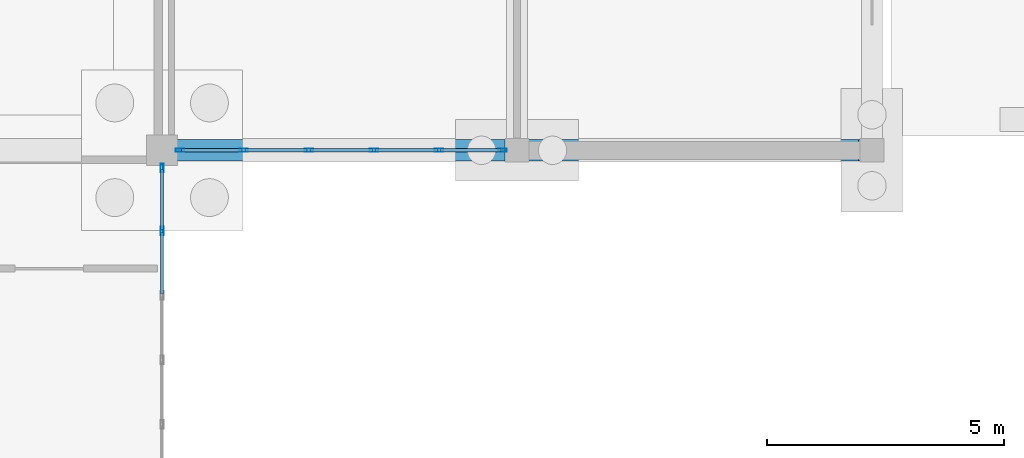
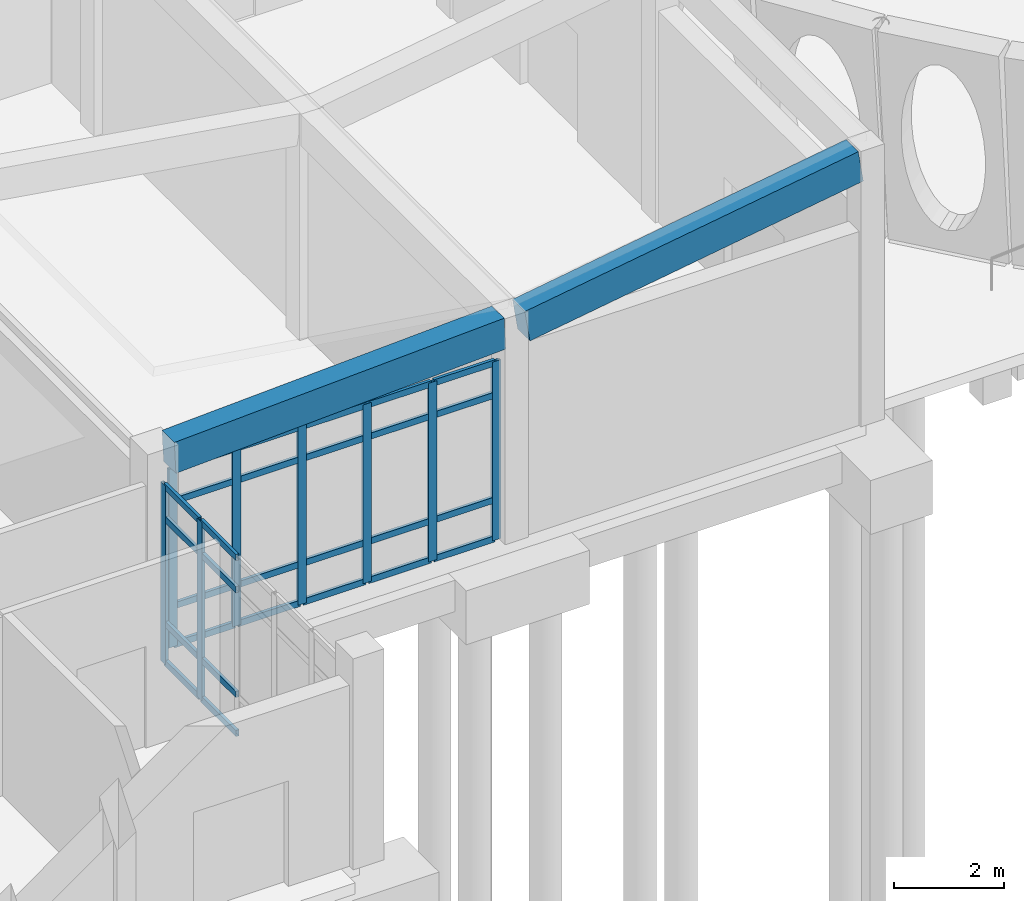
# One storey, part 34 of 173: 36 members, 2 beams, 2 elements without a shape of their own.
"""IFC4 building model written with IfcOpenShell, lengths in metres."""

from ifc_helpers import new_model, si_unit, direction, frame, origin, origin_2d, place, context, subcontext, project, spatial, rectangle, hollow_rectangle, extrude, material, layer, layer_set, material_profile, profile_set, type_object, element, aggregate, save


model = new_model("IFC4")

# Units and contexts
model_context = context("Model", 3, precision=1e-05, world=origin(), true_north=direction((0.0, 1.0)))
body_context = subcontext(model_context, "Body", "Model", "MODEL_VIEW")
ifc_project = project(units=[si_unit("LENGTHUNIT", "METRE"), si_unit("AREAUNIT", "SQUARE_METRE"), si_unit("VOLUMEUNIT", "CUBIC_METRE"), si_unit("PLANEANGLEUNIT", "RADIAN"), si_unit("MASSUNIT", "GRAM", prefix="KILO")], contexts=[model_context])

# Site, building, storey
site_placement = place(None, origin())
site = spatial("IfcSite", under=ifc_project, at=site_placement, CompositionType="ELEMENT")
building_placement = place(site_placement, origin())
building = spatial("IfcBuilding", under=site, at=building_placement, Name="Mawjan Specialist Oncology Clinic", CompositionType="ELEMENT")
storey_placement = place(building_placement, origin())
storey = spatial("IfcBuildingStorey", under=building, at=storey_placement, Name="L00", CompositionType="ELEMENT", Elevation=0.0)

# Beams
ifc_material_1 = material(Name="Concrete C40/50", Category="concrete")
ifc_material_profile_1 = material_profile(ifc_material_1, rectangle(XDim=0.449951171875, YDim=0.699951171875, at=origin_2d()), Name="RC BM 450x700", Category="concrete")
ifc_profile_set_1 = profile_set([ifc_material_profile_1], Name="Concrete C40/50")
beam_type = type_object("IfcBeamType", Name="BM-450x700", PredefinedType="BEAM", material=ifc_profile_set_1)
beam_1_placement = place(storey_placement, frame((45.31005859375, 8.300048828125, 4.35009765625), z_axis=(0.998835460308, 0.0, 0.048246484129), x_axis=(0.0, 1.0, 0.0)))
element("IfcBeam", 1, at=beam_1_placement, inside=storey, type_object=beam_type, Name="L00 Roof Framing Beam BM-RF-L00-1240", PredefinedType="BEAM", context=body_context, shape_type="SweptSolid", body=[
    extrude(rectangle(XDim=0.449951171875, YDim=0.699951171875, at=origin_2d()), origin(), (0.0, 0.0, 1.0), 6.962890625),
])
beam_2_placement = place(storey_placement, frame((52.735107421875, 8.300048828125, 4.68603515625), z_axis=(0.987938984862, 0.0, 0.154843670163), x_axis=(0.0, 1.0, 0.0)))
element("IfcBeam", 2, at=beam_2_placement, inside=storey, type_object=beam_type, Name="L00 Roof Framing Beam BM-RF-L00-1241", PredefinedType="BEAM", context=body_context, shape_type="SweptSolid", body=[
    extrude(rectangle(XDim=0.449951171875, YDim=0.699951171875, at=origin_2d()), origin(), (0.0, 0.0, 1.0), 7.11572265625),
])

# Curtain wall, members
ifc_material_2 = material(Name="Unitised spectrally selective aluminium curtain wall", Category="aluminium")
ifc_layer_1 = layer(ifc_material_2, 0.179931640625, Name="Unitised spectrally selective aluminium curtain wall", Category="aluminium")
ifc_layer_set_1 = layer_set([ifc_layer_1], Name="Unitised spectrally selective aluminium curtain wall")
curtain_wall_type_1 = type_object("IfcCurtainWallType", Name="CW-01", PredefinedType="NOTDEFINED", material=ifc_layer_set_1)
curtain_wall_1_placement = place(storey_placement, origin())
curtain_wall_1 = element("IfcCurtainWall", 3, at=curtain_wall_1_placement, inside=storey, type_object=curtain_wall_type_1, Name="L00 Unitised Curtain Wall CW-L00-001", PredefinedType="NOTDEFINED")
ifc_material_3 = material(Name="Thermally broken aluminium 6063-T6", Category="aluminium")
ifc_material_profile_2 = material_profile(ifc_material_3, hollow_rectangle(XDim=0.06494140625, YDim=0.179931640625, WallThickness=0.00390625, at=origin_2d()), Name="ALU MULLION 180x65x4", Category="aluminium")
ifc_profile_set_2 = profile_set([ifc_material_profile_2], Name="Thermally broken aluminium 6063-T6")
member_type_1 = type_object("IfcMemberType", Name="CW-M180", PredefinedType="MULLION", material=ifc_profile_set_2)
member_1_placement = place(storey_placement, frame((45.0, 7.922607421875, 0.0), z_axis=(0.0, 0.0, 1.0), x_axis=(1.0, 0.0, 0.0)))
member_1 = element("IfcMember", 4, at=member_1_placement, type_object=member_type_1, Name="CW-01 mullion 1", PredefinedType="MULLION", context=body_context, shape_type="SweptSolid", body=[
    extrude(hollow_rectangle(XDim=0.06494140625, YDim=0.179931640625, WallThickness=0.00390625, at=origin_2d()), origin(), (0.0, 0.0, 1.0), 3.985107421875),
])
member_2_placement = place(storey_placement, frame((45.0, 6.593017578125, 0.0), z_axis=(0.0, 0.0, 1.0), x_axis=(1.0, 0.0, 0.0)))
member_2 = element("IfcMember", 5, at=member_2_placement, type_object=member_type_1, Name="CW-01 mullion 2", PredefinedType="MULLION", context=body_context, shape_type="SweptSolid", body=[
    extrude(hollow_rectangle(XDim=0.06494140625, YDim=0.179931640625, WallThickness=0.00390625, at=origin_2d()), origin(), (0.0, 0.0, 1.0), 3.985107421875),
])

ifc_material_4 = material(Name="Unitised spectrally selective aluminium curtain wall", Category="aluminium")
ifc_layer_2 = layer(ifc_material_4, 0.179931640625, Name="Unitised spectrally selective aluminium curtain wall", Category="aluminium")
ifc_layer_set_2 = layer_set([ifc_layer_2], Name="Unitised spectrally selective aluminium curtain wall")
curtain_wall_type_2 = type_object("IfcCurtainWallType", Name="CW-22", PredefinedType="NOTDEFINED", material=ifc_layer_set_2)
curtain_wall_2_placement = place(storey_placement, origin())
curtain_wall_2 = element("IfcCurtainWall", 6, at=curtain_wall_2_placement, inside=storey, type_object=curtain_wall_type_2, Name="L00 Unitised Curtain Wall CW-L00-038", PredefinedType="NOTDEFINED")
member_3_placement = place(storey_placement, frame((52.197509765625, 8.300048828125, 0.0), z_axis=(0.0, 0.0, 1.0), x_axis=(0.0, -1.0, 0.0)))
member_3 = element("IfcMember", 7, at=member_3_placement, type_object=member_type_1, Name="CW-22 mullion 1", PredefinedType="MULLION", context=body_context, shape_type="SweptSolid", body=[
    extrude(hollow_rectangle(XDim=0.06494140625, YDim=0.179931640625, WallThickness=0.00390625, at=origin_2d()), origin(), (0.0, 0.0, 1.0), 3.985107421875),
])
member_4_placement = place(storey_placement, frame((50.85302734375, 8.300048828125, 0.0), z_axis=(0.0, 0.0, 1.0), x_axis=(0.0, -1.0, 0.0)))
member_4 = element("IfcMember", 8, at=member_4_placement, type_object=member_type_1, Name="CW-22 mullion 2", PredefinedType="MULLION", context=body_context, shape_type="SweptSolid", body=[
    extrude(hollow_rectangle(XDim=0.06494140625, YDim=0.179931640625, WallThickness=0.00390625, at=origin_2d()), origin(), (0.0, 0.0, 1.0), 3.985107421875),
])
member_5_placement = place(storey_placement, frame((49.47607421875, 8.300048828125, 0.0), z_axis=(0.0, 0.0, 1.0), x_axis=(0.0, -1.0, 0.0)))
member_5 = element("IfcMember", 9, at=member_5_placement, type_object=member_type_1, Name="CW-22 mullion 3", PredefinedType="MULLION", context=body_context, shape_type="SweptSolid", body=[
    extrude(hollow_rectangle(XDim=0.06494140625, YDim=0.179931640625, WallThickness=0.00390625, at=origin_2d()), origin(), (0.0, 0.0, 1.0), 3.985107421875),
])
member_6_placement = place(storey_placement, frame((48.09912109375, 8.300048828125, 0.0), z_axis=(0.0, 0.0, 1.0), x_axis=(0.0, -1.0, 0.0)))
member_6 = element("IfcMember", 10, at=member_6_placement, type_object=member_type_1, Name="CW-22 mullion 4", PredefinedType="MULLION", context=body_context, shape_type="SweptSolid", body=[
    extrude(hollow_rectangle(XDim=0.06494140625, YDim=0.179931640625, WallThickness=0.00390625, at=origin_2d()), origin(), (0.0, 0.0, 1.0), 3.985107421875),
])
member_7_placement = place(storey_placement, frame((46.721923828125, 8.300048828125, 0.0), z_axis=(0.0, 0.0, 1.0), x_axis=(0.0, -1.0, 0.0)))
member_7 = element("IfcMember", 11, at=member_7_placement, type_object=member_type_1, Name="CW-22 mullion 5", PredefinedType="MULLION", context=body_context, shape_type="SweptSolid", body=[
    extrude(hollow_rectangle(XDim=0.06494140625, YDim=0.179931640625, WallThickness=0.00390625, at=origin_2d()), origin(), (0.0, 0.0, 1.0), 3.985107421875),
])
member_8_placement = place(storey_placement, frame((45.37744140625, 8.300048828125, 0.0), z_axis=(0.0, 0.0, 1.0), x_axis=(0.0, -1.0, 0.0)))
member_8 = element("IfcMember", 12, at=member_8_placement, type_object=member_type_1, Name="CW-22 mullion 6", PredefinedType="MULLION", context=body_context, shape_type="SweptSolid", body=[
    extrude(hollow_rectangle(XDim=0.06494140625, YDim=0.179931640625, WallThickness=0.00390625, at=origin_2d()), origin(), (0.0, 0.0, 1.0), 3.985107421875),
])

# Member
ifc_material_5 = material(Name="Thermally broken aluminium 6063-T6", Category="aluminium")
ifc_material_profile_3 = material_profile(ifc_material_5, hollow_rectangle(XDim=0.06494140625, YDim=0.139892578125, WallThickness=0.00390625, at=origin_2d()), Name="ALU TRANSOM 140x65x4", Category="aluminium")
ifc_profile_set_3 = profile_set([ifc_material_profile_3], Name="Thermally broken aluminium 6063-T6")
member_type_2 = type_object("IfcMemberType", Name="CW-T140", PredefinedType="USERDEFINED", material=ifc_profile_set_3)
member_9_placement = place(storey_placement, frame((45.0, 7.889892578125, 0.032470703125), z_axis=(0.0, -1.0, 0.0), x_axis=(1.0, 0.0, 0.0)))
member_9 = element("IfcMember", 13, at=member_9_placement, type_object=member_type_2, Name="CW-01 transom 1.1", ObjectType="TRANSOM", PredefinedType="USERDEFINED", context=body_context, shape_type="SweptSolid", body=[
    extrude(hollow_rectangle(XDim=0.06494140625, YDim=0.139892578125, WallThickness=0.00390625, at=origin_2d()), origin(), (0.0, 0.0, 1.0), 1.264404296875),
])

member_10_placement = place(storey_placement, frame((45.0, 7.889892578125, 0.89990234375), z_axis=(0.0, -1.0, 0.0), x_axis=(1.0, 0.0, 0.0)))
member_10 = element("IfcMember", 14, at=member_10_placement, type_object=member_type_2, Name="CW-01 transom 1.2", ObjectType="TRANSOM", PredefinedType="USERDEFINED", context=body_context, shape_type="SweptSolid", body=[
    extrude(hollow_rectangle(XDim=0.06494140625, YDim=0.139892578125, WallThickness=0.00390625, at=origin_2d()), origin(), (0.0, 0.0, 1.0), 1.264404296875),
])

member_11_placement = place(storey_placement, frame((45.0, 7.889892578125, 3.235107421875), z_axis=(0.0, -1.0, 0.0), x_axis=(1.0, 0.0, 0.0)))
member_11 = element("IfcMember", 15, at=member_11_placement, type_object=member_type_2, Name="CW-01 transom 1.3", ObjectType="TRANSOM", PredefinedType="USERDEFINED", context=body_context, shape_type="SweptSolid", body=[
    extrude(hollow_rectangle(XDim=0.06494140625, YDim=0.139892578125, WallThickness=0.00390625, at=origin_2d()), origin(), (0.0, 0.0, 1.0), 1.264404296875),
])

member_12_placement = place(storey_placement, frame((45.0, 7.889892578125, 3.952392578125), z_axis=(0.0, -1.0, 0.0), x_axis=(1.0, 0.0, 0.0)))
member_12 = element("IfcMember", 16, at=member_12_placement, type_object=member_type_2, Name="CW-01 transom 1.4", ObjectType="TRANSOM", PredefinedType="USERDEFINED", context=body_context, shape_type="SweptSolid", body=[
    extrude(hollow_rectangle(XDim=0.06494140625, YDim=0.139892578125, WallThickness=0.00390625, at=origin_2d()), origin(), (0.0, 0.0, 1.0), 1.264404296875),
])

member_13_placement = place(storey_placement, frame((45.0, 6.560546875, 0.032470703125), z_axis=(0.0, -1.0, 0.0), x_axis=(1.0, 0.0, 0.0)))
member_13 = element("IfcMember", 17, at=member_13_placement, type_object=member_type_2, Name="CW-01 transom 2.1", ObjectType="TRANSOM", PredefinedType="USERDEFINED", context=body_context, shape_type="SweptSolid", body=[
    extrude(hollow_rectangle(XDim=0.06494140625, YDim=0.139892578125, WallThickness=0.00390625, at=origin_2d()), origin(), (0.0, 0.0, 1.0), 1.297119140625),
])

member_14_placement = place(storey_placement, frame((45.0, 6.560546875, 0.89990234375), z_axis=(0.0, -1.0, 0.0), x_axis=(1.0, 0.0, 0.0)))
member_14 = element("IfcMember", 18, at=member_14_placement, type_object=member_type_2, Name="CW-01 transom 2.2", ObjectType="TRANSOM", PredefinedType="USERDEFINED", context=body_context, shape_type="SweptSolid", body=[
    extrude(hollow_rectangle(XDim=0.06494140625, YDim=0.139892578125, WallThickness=0.00390625, at=origin_2d()), origin(), (0.0, 0.0, 1.0), 1.297119140625),
])

member_15_placement = place(storey_placement, frame((45.0, 6.560546875, 3.235107421875), z_axis=(0.0, -1.0, 0.0), x_axis=(1.0, 0.0, 0.0)))
member_15 = element("IfcMember", 19, at=member_15_placement, type_object=member_type_2, Name="CW-01 transom 2.3", ObjectType="TRANSOM", PredefinedType="USERDEFINED", context=body_context, shape_type="SweptSolid", body=[
    extrude(hollow_rectangle(XDim=0.06494140625, YDim=0.139892578125, WallThickness=0.00390625, at=origin_2d()), origin(), (0.0, 0.0, 1.0), 1.297119140625),
])

member_16_placement = place(storey_placement, frame((45.0, 6.560546875, 3.952392578125), z_axis=(0.0, -1.0, 0.0), x_axis=(1.0, 0.0, 0.0)))
member_16 = element("IfcMember", 20, at=member_16_placement, type_object=member_type_2, Name="CW-01 transom 2.4", ObjectType="TRANSOM", PredefinedType="USERDEFINED", context=body_context, shape_type="SweptSolid", body=[
    extrude(hollow_rectangle(XDim=0.06494140625, YDim=0.139892578125, WallThickness=0.00390625, at=origin_2d()), origin(), (0.0, 0.0, 1.0), 1.297119140625),
])

aggregate(curtain_wall_1, [member_1, member_2, member_9, member_10, member_11, member_12, member_13, member_14, member_15, member_16])

member_17_placement = place(storey_placement, frame((52.1650390625, 8.300048828125, 0.032470703125), z_axis=(-1.0, 0.0, 0.0), x_axis=(0.0, -1.0, 0.0)))
member_17 = element("IfcMember", 21, at=member_17_placement, type_object=member_type_2, Name="CW-22 transom 1.1", ObjectType="TRANSOM", PredefinedType="USERDEFINED", context=body_context, shape_type="SweptSolid", body=[
    extrude(hollow_rectangle(XDim=0.06494140625, YDim=0.139892578125, WallThickness=0.00390625, at=origin_2d()), origin(), (0.0, 0.0, 1.0), 1.279541015625),
])

member_18_placement = place(storey_placement, frame((52.1650390625, 8.300048828125, 0.89990234375), z_axis=(-1.0, 0.0, 0.0), x_axis=(0.0, -1.0, 0.0)))
member_18 = element("IfcMember", 22, at=member_18_placement, type_object=member_type_2, Name="CW-22 transom 1.2", ObjectType="TRANSOM", PredefinedType="USERDEFINED", context=body_context, shape_type="SweptSolid", body=[
    extrude(hollow_rectangle(XDim=0.06494140625, YDim=0.139892578125, WallThickness=0.00390625, at=origin_2d()), origin(), (0.0, 0.0, 1.0), 1.279541015625),
])

member_19_placement = place(storey_placement, frame((52.1650390625, 8.300048828125, 3.235107421875), z_axis=(-1.0, 0.0, 0.0), x_axis=(0.0, -1.0, 0.0)))
member_19 = element("IfcMember", 23, at=member_19_placement, type_object=member_type_2, Name="CW-22 transom 1.3", ObjectType="TRANSOM", PredefinedType="USERDEFINED", context=body_context, shape_type="SweptSolid", body=[
    extrude(hollow_rectangle(XDim=0.06494140625, YDim=0.139892578125, WallThickness=0.00390625, at=origin_2d()), origin(), (0.0, 0.0, 1.0), 1.279541015625),
])

member_20_placement = place(storey_placement, frame((52.1650390625, 8.300048828125, 3.952392578125), z_axis=(-1.0, 0.0, 0.0), x_axis=(0.0, -1.0, 0.0)))
member_20 = element("IfcMember", 24, at=member_20_placement, type_object=member_type_2, Name="CW-22 transom 1.4", ObjectType="TRANSOM", PredefinedType="USERDEFINED", context=body_context, shape_type="SweptSolid", body=[
    extrude(hollow_rectangle(XDim=0.06494140625, YDim=0.139892578125, WallThickness=0.00390625, at=origin_2d()), origin(), (0.0, 0.0, 1.0), 1.279541015625),
])

member_21_placement = place(storey_placement, frame((50.820556640625, 8.300048828125, 0.032470703125), z_axis=(-1.0, 0.0, 0.0), x_axis=(0.0, -1.0, 0.0)))
member_21 = element("IfcMember", 25, at=member_21_placement, type_object=member_type_2, Name="CW-22 transom 2.1", ObjectType="TRANSOM", PredefinedType="USERDEFINED", context=body_context, shape_type="SweptSolid", body=[
    extrude(hollow_rectangle(XDim=0.06494140625, YDim=0.139892578125, WallThickness=0.00390625, at=origin_2d()), origin(), (0.0, 0.0, 1.0), 1.31201171875),
])

member_22_placement = place(storey_placement, frame((50.820556640625, 8.300048828125, 0.89990234375), z_axis=(-1.0, 0.0, 0.0), x_axis=(0.0, -1.0, 0.0)))
member_22 = element("IfcMember", 26, at=member_22_placement, type_object=member_type_2, Name="CW-22 transom 2.2", ObjectType="TRANSOM", PredefinedType="USERDEFINED", context=body_context, shape_type="SweptSolid", body=[
    extrude(hollow_rectangle(XDim=0.06494140625, YDim=0.139892578125, WallThickness=0.00390625, at=origin_2d()), origin(), (0.0, 0.0, 1.0), 1.31201171875),
])

member_23_placement = place(storey_placement, frame((50.820556640625, 8.300048828125, 3.235107421875), z_axis=(-1.0, 0.0, 0.0), x_axis=(0.0, -1.0, 0.0)))
member_23 = element("IfcMember", 27, at=member_23_placement, type_object=member_type_2, Name="CW-22 transom 2.3", ObjectType="TRANSOM", PredefinedType="USERDEFINED", context=body_context, shape_type="SweptSolid", body=[
    extrude(hollow_rectangle(XDim=0.06494140625, YDim=0.139892578125, WallThickness=0.00390625, at=origin_2d()), origin(), (0.0, 0.0, 1.0), 1.31201171875),
])

member_24_placement = place(storey_placement, frame((50.820556640625, 8.300048828125, 3.952392578125), z_axis=(-1.0, 0.0, 0.0), x_axis=(0.0, -1.0, 0.0)))
member_24 = element("IfcMember", 28, at=member_24_placement, type_object=member_type_2, Name="CW-22 transom 2.4", ObjectType="TRANSOM", PredefinedType="USERDEFINED", context=body_context, shape_type="SweptSolid", body=[
    extrude(hollow_rectangle(XDim=0.06494140625, YDim=0.139892578125, WallThickness=0.00390625, at=origin_2d()), origin(), (0.0, 0.0, 1.0), 1.31201171875),
])

member_25_placement = place(storey_placement, frame((49.443603515625, 8.300048828125, 0.032470703125), z_axis=(-1.0, 0.0, 0.0), x_axis=(0.0, -1.0, 0.0)))
member_25 = element("IfcMember", 29, at=member_25_placement, type_object=member_type_2, Name="CW-22 transom 3.1", ObjectType="TRANSOM", PredefinedType="USERDEFINED", context=body_context, shape_type="SweptSolid", body=[
    extrude(hollow_rectangle(XDim=0.06494140625, YDim=0.139892578125, WallThickness=0.00390625, at=origin_2d()), origin(), (0.0, 0.0, 1.0), 1.31201171875),
])

member_26_placement = place(storey_placement, frame((49.443603515625, 8.300048828125, 0.89990234375), z_axis=(-1.0, 0.0, 0.0), x_axis=(0.0, -1.0, 0.0)))
member_26 = element("IfcMember", 30, at=member_26_placement, type_object=member_type_2, Name="CW-22 transom 3.2", ObjectType="TRANSOM", PredefinedType="USERDEFINED", context=body_context, shape_type="SweptSolid", body=[
    extrude(hollow_rectangle(XDim=0.06494140625, YDim=0.139892578125, WallThickness=0.00390625, at=origin_2d()), origin(), (0.0, 0.0, 1.0), 1.31201171875),
])

member_27_placement = place(storey_placement, frame((49.443603515625, 8.300048828125, 3.235107421875), z_axis=(-1.0, 0.0, 0.0), x_axis=(0.0, -1.0, 0.0)))
member_27 = element("IfcMember", 31, at=member_27_placement, type_object=member_type_2, Name="CW-22 transom 3.3", ObjectType="TRANSOM", PredefinedType="USERDEFINED", context=body_context, shape_type="SweptSolid", body=[
    extrude(hollow_rectangle(XDim=0.06494140625, YDim=0.139892578125, WallThickness=0.00390625, at=origin_2d()), origin(), (0.0, 0.0, 1.0), 1.31201171875),
])

member_28_placement = place(storey_placement, frame((49.443603515625, 8.300048828125, 3.952392578125), z_axis=(-1.0, 0.0, 0.0), x_axis=(0.0, -1.0, 0.0)))
member_28 = element("IfcMember", 32, at=member_28_placement, type_object=member_type_2, Name="CW-22 transom 3.4", ObjectType="TRANSOM", PredefinedType="USERDEFINED", context=body_context, shape_type="SweptSolid", body=[
    extrude(hollow_rectangle(XDim=0.06494140625, YDim=0.139892578125, WallThickness=0.00390625, at=origin_2d()), origin(), (0.0, 0.0, 1.0), 1.31201171875),
])

member_29_placement = place(storey_placement, frame((48.06640625, 8.300048828125, 0.032470703125), z_axis=(-1.0, 0.0, 0.0), x_axis=(0.0, -1.0, 0.0)))
member_29 = element("IfcMember", 33, at=member_29_placement, type_object=member_type_2, Name="CW-22 transom 4.1", ObjectType="TRANSOM", PredefinedType="USERDEFINED", context=body_context, shape_type="SweptSolid", body=[
    extrude(hollow_rectangle(XDim=0.06494140625, YDim=0.139892578125, WallThickness=0.00390625, at=origin_2d()), origin(), (0.0, 0.0, 1.0), 1.31201171875),
])

member_30_placement = place(storey_placement, frame((48.06640625, 8.300048828125, 0.89990234375), z_axis=(-1.0, 0.0, 0.0), x_axis=(0.0, -1.0, 0.0)))
member_30 = element("IfcMember", 34, at=member_30_placement, type_object=member_type_2, Name="CW-22 transom 4.2", ObjectType="TRANSOM", PredefinedType="USERDEFINED", context=body_context, shape_type="SweptSolid", body=[
    extrude(hollow_rectangle(XDim=0.06494140625, YDim=0.139892578125, WallThickness=0.00390625, at=origin_2d()), origin(), (0.0, 0.0, 1.0), 1.31201171875),
])

member_31_placement = place(storey_placement, frame((48.06640625, 8.300048828125, 3.235107421875), z_axis=(-1.0, 0.0, 0.0), x_axis=(0.0, -1.0, 0.0)))
member_31 = element("IfcMember", 35, at=member_31_placement, type_object=member_type_2, Name="CW-22 transom 4.3", ObjectType="TRANSOM", PredefinedType="USERDEFINED", context=body_context, shape_type="SweptSolid", body=[
    extrude(hollow_rectangle(XDim=0.06494140625, YDim=0.139892578125, WallThickness=0.00390625, at=origin_2d()), origin(), (0.0, 0.0, 1.0), 1.31201171875),
])

member_32_placement = place(storey_placement, frame((48.06640625, 8.300048828125, 3.952392578125), z_axis=(-1.0, 0.0, 0.0), x_axis=(0.0, -1.0, 0.0)))
member_32 = element("IfcMember", 36, at=member_32_placement, type_object=member_type_2, Name="CW-22 transom 4.4", ObjectType="TRANSOM", PredefinedType="USERDEFINED", context=body_context, shape_type="SweptSolid", body=[
    extrude(hollow_rectangle(XDim=0.06494140625, YDim=0.139892578125, WallThickness=0.00390625, at=origin_2d()), origin(), (0.0, 0.0, 1.0), 1.31201171875),
])

member_33_placement = place(storey_placement, frame((46.689453125, 8.300048828125, 0.032470703125), z_axis=(-1.0, 0.0, 0.0), x_axis=(0.0, -1.0, 0.0)))
member_33 = element("IfcMember", 37, at=member_33_placement, type_object=member_type_2, Name="CW-22 transom 5.1", ObjectType="TRANSOM", PredefinedType="USERDEFINED", context=body_context, shape_type="SweptSolid", body=[
    extrude(hollow_rectangle(XDim=0.06494140625, YDim=0.139892578125, WallThickness=0.00390625, at=origin_2d()), origin(), (0.0, 0.0, 1.0), 1.279541015625),
])

member_34_placement = place(storey_placement, frame((46.689453125, 8.300048828125, 0.89990234375), z_axis=(-1.0, 0.0, 0.0), x_axis=(0.0, -1.0, 0.0)))
member_34 = element("IfcMember", 38, at=member_34_placement, type_object=member_type_2, Name="CW-22 transom 5.2", ObjectType="TRANSOM", PredefinedType="USERDEFINED", context=body_context, shape_type="SweptSolid", body=[
    extrude(hollow_rectangle(XDim=0.06494140625, YDim=0.139892578125, WallThickness=0.00390625, at=origin_2d()), origin(), (0.0, 0.0, 1.0), 1.279541015625),
])

member_35_placement = place(storey_placement, frame((46.689453125, 8.300048828125, 3.235107421875), z_axis=(-1.0, 0.0, 0.0), x_axis=(0.0, -1.0, 0.0)))
member_35 = element("IfcMember", 39, at=member_35_placement, type_object=member_type_2, Name="CW-22 transom 5.3", ObjectType="TRANSOM", PredefinedType="USERDEFINED", context=body_context, shape_type="SweptSolid", body=[
    extrude(hollow_rectangle(XDim=0.06494140625, YDim=0.139892578125, WallThickness=0.00390625, at=origin_2d()), origin(), (0.0, 0.0, 1.0), 1.279541015625),
])

member_36_placement = place(storey_placement, frame((46.689453125, 8.300048828125, 3.952392578125), z_axis=(-1.0, 0.0, 0.0), x_axis=(0.0, -1.0, 0.0)))
member_36 = element("IfcMember", 40, at=member_36_placement, type_object=member_type_2, Name="CW-22 transom 5.4", ObjectType="TRANSOM", PredefinedType="USERDEFINED", context=body_context, shape_type="SweptSolid", body=[
    extrude(hollow_rectangle(XDim=0.06494140625, YDim=0.139892578125, WallThickness=0.00390625, at=origin_2d()), origin(), (0.0, 0.0, 1.0), 1.279541015625),
])

aggregate(curtain_wall_2, [member_3, member_4, member_5, member_6, member_7, member_8, member_17, member_18, member_19, member_20, member_21, member_22, member_23, member_24, member_25, member_26, member_27, member_28, member_29, member_30, member_31, member_32, member_33, member_34, member_35, member_36])

save(model, "model.ifc")
